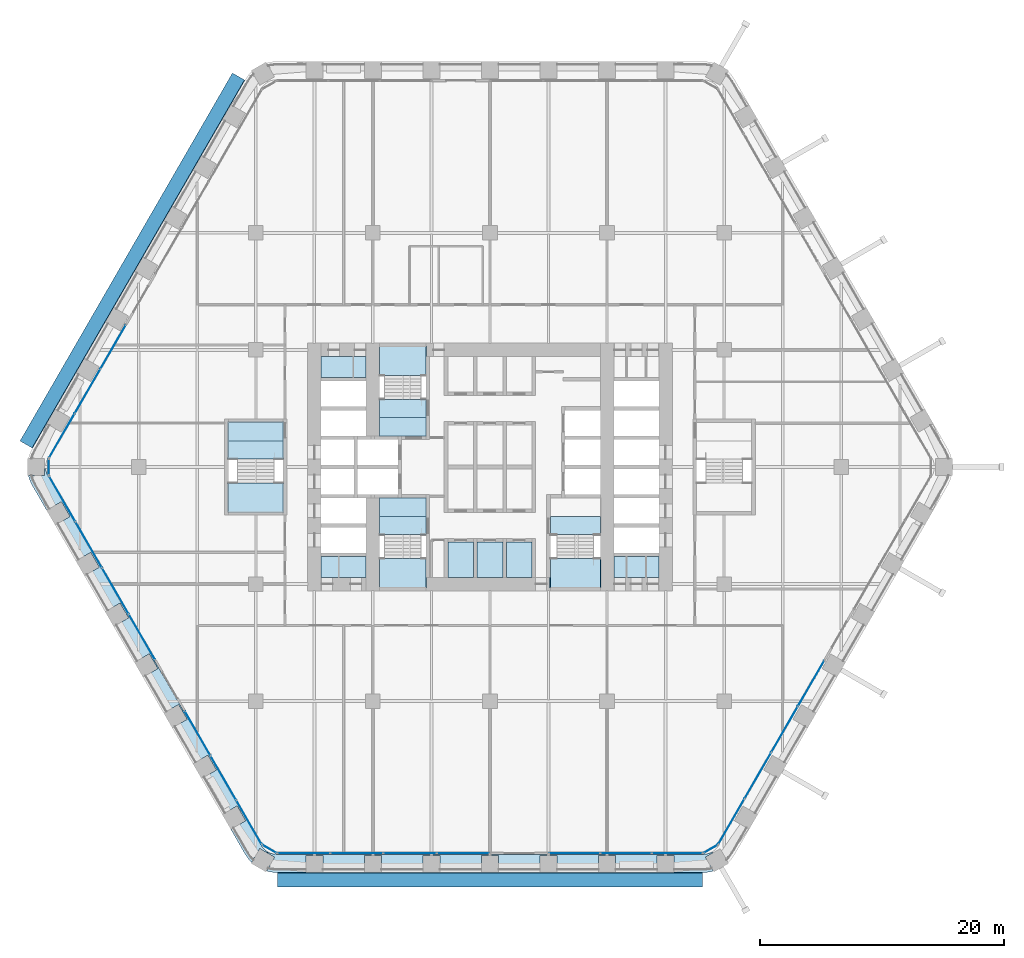
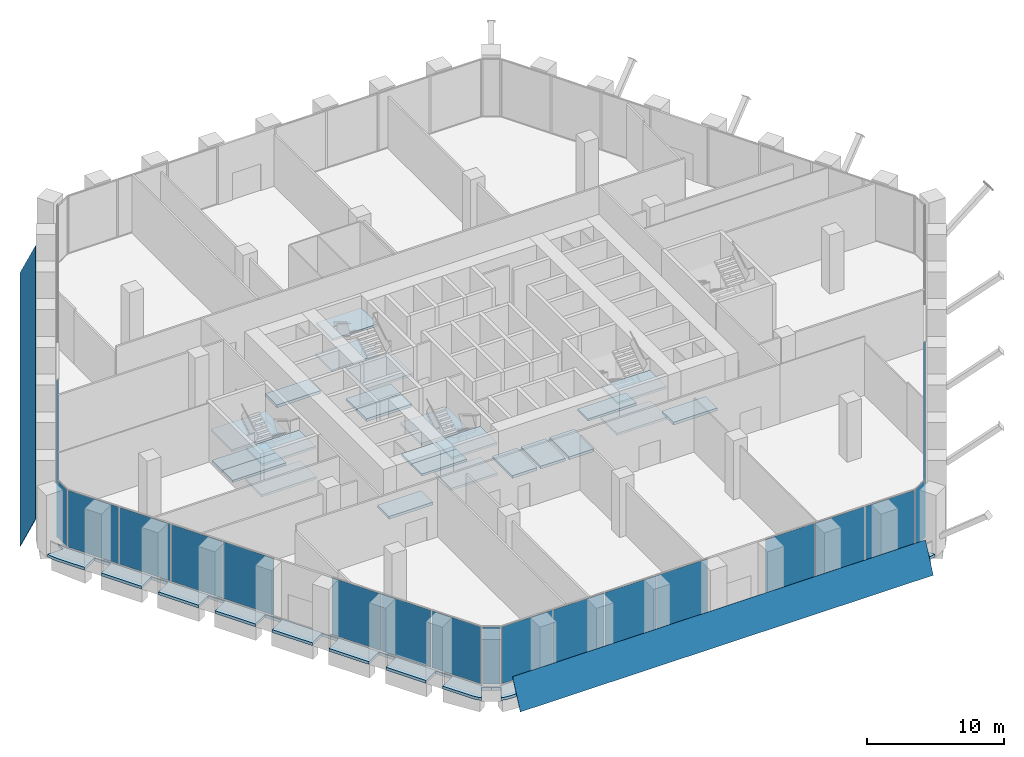
# One storey, part 16 of 29: 26 plates, 26 slabs, 13 elements without a shape of their own.
"""IFC4 building model written with IfcOpenShell, lengths in metres."""

from ifc_helpers import new_model, si_unit, direction, frame, origin, origin_2d, place, context, subcontext, project, spatial, polyline, rectangle, outline, extrude, material, layer, layer_set, type_object, element, aggregate, save


model = new_model("IFC4")

# Units and contexts
model_context = context("Model", 3, precision=1e-05, world=origin(), true_north=direction((0.0, 1.0)))
body_context = subcontext(model_context, "Body", "Model", "MODEL_VIEW")
ifc_project = project(units=[si_unit("LENGTHUNIT", "METRE"), si_unit("AREAUNIT", "SQUARE_METRE"), si_unit("VOLUMEUNIT", "CUBIC_METRE"), si_unit("PLANEANGLEUNIT", "RADIAN"), si_unit("MASSUNIT", "GRAM", prefix="KILO")], contexts=[model_context])

# Site, building, storey
site_placement = place(None, origin())
site = spatial("IfcSite", under=ifc_project, at=site_placement, CompositionType="ELEMENT")
building_placement = place(site_placement, origin())
building = spatial("IfcBuilding", under=site, at=building_placement, Name="Kolab Exchange Tower", CompositionType="ELEMENT")
storey_placement = place(building_placement, frame((0.0, 0.0, 55.39990234375)))
storey = spatial("IfcBuildingStorey", under=building, at=storey_placement, Name="L10", CompositionType="ELEMENT", Elevation=55.39990234375)

# Slabs
ifc_material_1 = material(Name="Concrete C35/45", Category="concrete")
ifc_layer_1 = layer(ifc_material_1, 0.25)
ifc_layer_set_1 = layer_set([ifc_layer_1], Name="Concrete C35/45")
slab_type_1 = type_object("IfcSlabType", Name="FLOOR SLAB 250", PredefinedType="FLOOR", material=ifc_layer_set_1)
slab_1_placement = place(storey_placement, frame((0.0, 0.0, -0.25)))
element("IfcSlab", 1, at=slab_1_placement, inside=storey, type_object=slab_type_1, Name="slab/L10/floor/8", PredefinedType="FLOOR", context=body_context, shape_type="SweptSolid", body=[
    extrude(outline(polyline([(-21.449951171875, 3.64990234375), (-21.449951171875, 2.14990234375), (-16.949951171875, 2.14990234375), (-16.949951171875, 3.64990234375), (-21.449951171875, 3.64990234375)])), origin(), (0.0, 0.0, 1.0), 0.25),
])
slab_2_placement = place(storey_placement, frame((0.0, 0.0, -0.25)))
element("IfcSlab", 2, at=slab_2_placement, inside=storey, type_object=slab_type_1, Name="slab/L10/floor/10", PredefinedType="FLOOR", context=body_context, shape_type="SweptSolid", body=[
    extrude(outline(polyline([(-10.14990234375, -9.050048828125), (-10.14990234375, -7.35009765625), (-13.85009765625, -7.35009765625), (-13.85009765625, -9.050048828125), (-10.14990234375, -9.050048828125)])), origin(), (0.0, 0.0, 1.0), 0.25),
])
slab_3_placement = place(storey_placement, frame((0.0, 0.0, -0.25)))
element("IfcSlab", 3, at=slab_3_placement, inside=storey, type_object=slab_type_1, Name="slab/L10/floor/11", PredefinedType="FLOOR", context=body_context, shape_type="SweptSolid", body=[
    extrude(outline(polyline([(-13.85009765625, 7.35009765625), (-10.14990234375, 7.35009765625), (-10.14990234375, 9.050048828125), (-13.85009765625, 9.050048828125), (-13.85009765625, 7.35009765625)])), origin(), (0.0, 0.0, 1.0), 0.25),
])
slab_4_placement = place(storey_placement, frame((0.0, 0.0, -0.25)))
element("IfcSlab", 4, at=slab_4_placement, inside=storey, type_object=slab_type_1, Name="slab/L10/floor/12", PredefinedType="FLOOR", context=body_context, shape_type="SweptSolid", body=[
    extrude(outline(polyline([(10.14990234375, -7.35009765625), (10.14990234375, -9.050048828125), (13.85009765625, -9.050048828125), (13.85009765625, -7.35009765625), (10.14990234375, -7.35009765625)])), origin(), (0.0, 0.0, 1.0), 0.25),
])
slab_5_placement = place(storey_placement, frame((0.0, 0.0, -0.25)))
element("IfcSlab", 5, at=slab_5_placement, inside=storey, type_object=slab_type_1, Name="slab/L10/floor/15", PredefinedType="FLOOR", context=body_context, shape_type="SweptSolid", body=[
    extrude(outline(polyline([(1.050048828125, -6.14990234375), (-1.050048828125, -6.14990234375), (-1.050048828125, -9.050048828125), (1.050048828125, -9.050048828125), (1.050048828125, -6.14990234375)])), origin(), (0.0, 0.0, 1.0), 0.25),
])
slab_6_placement = place(storey_placement, frame((0.0, 0.0, -0.25)))
element("IfcSlab", 6, at=slab_6_placement, inside=storey, type_object=slab_type_1, Name="slab/L10/floor/17", PredefinedType="FLOOR", context=body_context, shape_type="SweptSolid", body=[
    extrude(outline(polyline([(-1.35009765625, -6.14990234375), (-3.449951171875, -6.14990234375), (-3.449951171875, -9.050048828125), (-1.35009765625, -9.050048828125), (-1.35009765625, -6.14990234375)])), origin(), (0.0, 0.0, 1.0), 0.25),
])
slab_7_placement = place(storey_placement, frame((0.0, 0.0, -0.25)))
element("IfcSlab", 7, at=slab_7_placement, inside=storey, type_object=slab_type_1, Name="slab/L10/floor/19", PredefinedType="FLOOR", context=body_context, shape_type="SweptSolid", body=[
    extrude(outline(polyline([(1.35009765625, -6.14990234375), (1.35009765625, -9.050048828125), (3.449951171875, -9.050048828125), (3.449951171875, -6.14990234375), (1.35009765625, -6.14990234375)])), origin(), (0.0, 0.0, 1.0), 0.25),
])
slab_8_placement = place(storey_placement, frame((0.0, 0.0, -0.25)))
element("IfcSlab", 8, at=slab_8_placement, inside=storey, type_object=slab_type_1, Name="slab/L10/floor/21", PredefinedType="FLOOR", context=body_context, shape_type="SweptSolid", body=[
    extrude(outline(polyline([(-9.050048828125, -4.050048828125), (-5.25, -4.050048828125), (-5.25, -2.550048828125), (-7.25, -2.550048828125), (-7.550048828125, -2.550048828125), (-9.050048828125, -2.550048828125), (-9.050048828125, -4.050048828125)])), origin(), (0.0, 0.0, 1.0), 0.25),
])
slab_9_placement = place(storey_placement, frame((0.0, 0.0, -0.25)))
element("IfcSlab", 9, at=slab_9_placement, inside=storey, type_object=slab_type_1, Name="slab/L10/floor/22", PredefinedType="FLOOR", context=body_context, shape_type="SweptSolid", body=[
    extrude(outline(polyline([(-5.25, 4.050048828125), (-9.050048828125, 4.050048828125), (-9.050048828125, 2.550048828125), (-7.550048828125, 2.550048828125), (-7.25, 2.550048828125), (-5.25, 2.550048828125), (-5.25, 4.050048828125)])), origin(), (0.0, 0.0, 1.0), 0.25),
])
ifc_layer_2 = layer(ifc_material_1, 0.25)
ifc_layer_set_2 = layer_set([ifc_layer_2], Name="Concrete C35/45")
slab_type_2 = type_object("IfcSlabType", Name="LOGGIA SLAB 250", PredefinedType="FLOOR", material=ifc_layer_set_2)
slab_10_placement = place(storey_placement, frame((0.0, 0.0, -0.25)))
element("IfcSlab", 10, at=slab_10_placement, inside=storey, type_object=slab_type_2, Name="slab/L10/loggia/3-0", PredefinedType="FLOOR", context=body_context, shape_type="SweptSolid", body=[
    extrude(outline(polyline([(-18.218017578125, -31.554443359375), (-18.26806640625, -31.64111328125), (-17.66162109375, -31.990966796875), (-18.31494140625, -33.122314453125), (-17.989013671875, -33.209716796875), (-17.468017578125, -33.25537109375), (-15.10009765625, -33.25537109375), (-15.10009765625, -31.85546875), (-13.699951171875, -31.85546875), (-13.699951171875, -33.25537109375), (-10.300048828125, -33.25537109375), (-10.300048828125, -31.85546875), (-8.89990234375, -31.85546875), (-8.89990234375, -33.25537109375), (-5.5, -33.25537109375), (-5.5, -31.85546875), (-4.10009765625, -31.85546875), (-4.10009765625, -33.25537109375), (-0.699951171875, -33.25537109375), (-0.699951171875, -31.85546875), (0.699951171875, -31.85546875), (0.699951171875, -33.25537109375), (4.10009765625, -33.25537109375), (4.10009765625, -31.85546875), (5.5, -31.85546875), (5.5, -33.25537109375), (8.89990234375, -33.25537109375), (8.89990234375, -31.85546875), (10.300048828125, -31.85546875), (10.300048828125, -33.25537109375), (13.699951171875, -33.25537109375), (13.699951171875, -31.85546875), (15.10009765625, -31.85546875), (15.10009765625, -33.25537109375), (17.468017578125, -33.25537109375), (17.989013671875, -33.209716796875), (18.31494140625, -33.122314453125), (17.66162109375, -31.990966796875), (18.26806640625, -31.64111328125), (18.218017578125, -31.554443359375), (17.98095703125, -31.664794921875), (17.728515625, -31.732666015625), (17.468017578125, -31.75537109375), (-17.468017578125, -31.75537109375), (-17.728515625, -31.732666015625), (-17.98095703125, -31.664794921875), (-18.218017578125, -31.554443359375)])), origin(), (0.0, 0.0, 1.0), 0.25),
])
slab_11_placement = place(storey_placement, frame((0.0, 0.0, -0.25)))
element("IfcSlab", 11, at=slab_11_placement, inside=storey, type_object=slab_type_2, Name="slab/L10/loggia/4-0", PredefinedType="FLOOR", context=body_context, shape_type="SweptSolid", body=[
    extrude(outline(polyline([(-36.435791015625, 0.0), (-36.535888671875, 0.0), (-36.535888671875, -0.699951171875), (-37.84228515625, -0.699951171875), (-37.7548828125, -1.026123046875), (-37.533935546875, -1.5), (-36.35009765625, -3.55078125), (-35.137451171875, -2.8505859375), (-34.4375, -4.063232421875), (-35.64990234375, -4.76318359375), (-33.949951171875, -7.70751953125), (-32.737548828125, -7.007568359375), (-32.03759765625, -8.219970703125), (-33.25, -8.920166015625), (-31.550048828125, -11.864501953125), (-30.337646484375, -11.16455078125), (-29.637451171875, -12.376953125), (-30.85009765625, -13.076904296875), (-29.14990234375, -16.021484375), (-27.9375, -15.321533203125), (-27.237548828125, -16.533935546875), (-28.449951171875, -17.23388671875), (-26.75, -20.178466796875), (-25.53759765625, -19.478271484375), (-24.837646484375, -20.69091796875), (-26.050048828125, -21.390869140625), (-24.35009765625, -24.335205078125), (-23.137451171875, -23.63525390625), (-22.4375, -24.84765625), (-23.64990234375, -25.5478515625), (-21.949951171875, -28.4921875), (-20.737548828125, -27.792236328125), (-20.03759765625, -29.004638671875), (-21.25, -29.70458984375), (-20.06591796875, -31.75537109375), (-19.76611328125, -32.183837890625), (-19.52734375, -32.42236328125), (-18.874267578125, -31.291015625), (-18.26806640625, -31.64111328125), (-18.218017578125, -31.554443359375), (-18.43212890625, -31.404541015625), (-18.616943359375, -31.219482421875), (-18.76708984375, -31.00537109375), (-36.23486328125, -0.75), (-36.345458984375, -0.512939453125), (-36.4130859375, -0.260498046875), (-36.435791015625, 0.0)])), origin(), (0.0, 0.0, 1.0), 0.25),
])

# Plates
ifc_material_2 = material(Name="Laminated glass, clear", Category="glass")
ifc_layer_3 = layer(ifc_material_2, 0.0400390625)
ifc_layer_set_3 = layer_set([ifc_layer_3], Name="Laminated glass, clear")
plate_type_1 = type_object("IfcPlateType", Name="OUTER SKIN LAMINATED GLASS SHEET 40", PredefinedType="SHEET", material=ifc_layer_set_3)
plate_1_placement = place(storey_placement, frame((17.41796875, -34.435302734375, -0.782958984375), z_axis=(0.0, -0.906309875243, 0.422613783538), x_axis=(-1.0, 0.0, 0.0)))
element("IfcPlate", 12, at=plate_1_placement, inside=storey, type_object=plate_type_1, Name="Outer skin", PredefinedType="SHEET", context=body_context, shape_type="SweptSolid", body=[
    extrude(outline(polyline([(0.0, 0.0), (34.8359375, 0.0), (34.8359375, -2.7059095846952848), (0.0, -2.7059095846952848), (0.0, 0.0)])), origin(), (0.0, 0.0, -1.0), 0.0400390625),
])
plate_2_placement = place(storey_placement, frame((-38.53076171875, 2.13330078125, -0.782958984375), z_axis=(-0.784872769673, 0.453148092024, 0.422648248689), x_axis=(0.500001313459, 0.866024645457, 0.0)))
element("IfcPlate", 13, at=plate_2_placement, inside=storey, type_object=plate_type_1, Name="Outer skin", PredefinedType="SHEET", context=body_context, shape_type="SweptSolid", body=[
    extrude(outline(polyline([(0.0, 0.0), (34.83584598906518, 0.0), (34.8359132764295, -2.7059575705201846), (6.728736431932392e-05, -2.705957570520185), (0.0, 0.0)])), origin(), (0.0, 0.0, -1.0), 0.0400390625),
])

# Stair, slabs
ifc_material_3 = material(Name="Concrete C50/60", Category="concrete")
stair_type_1 = type_object("IfcStairType", Name="STAIR ST1 RISER 171.9", PredefinedType="DOUBLE_RETURN_STAIR", material=ifc_material_3)
stair_1_placement = place(storey_placement, origin())
stair_1 = element("IfcStair", 14, at=stair_1_placement, inside=storey, type_object=stair_type_1, Name="Stair 1", PredefinedType="DOUBLE_RETURN_STAIR")
ifc_layer_4 = layer(ifc_material_3, 0.199951171875)
ifc_layer_set_4 = layer_set([ifc_layer_4], Name="Concrete C50/60")
slab_type_3 = type_object("IfcSlabType", Name="STAIR LANDING 200", PredefinedType="LANDING", material=ifc_layer_set_4)
slab_12_placement = place(storey_placement, frame((0.0, 0.0, -0.199951171875)))
slab_12 = element("IfcSlab", 15, at=slab_12_placement, type_object=slab_type_3, Name="ST1 landing 1", PredefinedType="LANDING", context=body_context, shape_type="SweptSolid", body=[
    extrude(outline(polyline([(-9.050048828125, 4.050048828125), (-5.25, 4.050048828125), (-5.25, 5.550048828125), (-9.050048828125, 5.550048828125), (-9.050048828125, 4.050048828125)])), origin(), (0.0, 0.0, 1.0), 0.199951171875),
])
slab_13_placement = place(storey_placement, frame((0.0, 0.0, 1.175048828125)))
slab_13 = element("IfcSlab", 16, at=slab_13_placement, type_object=slab_type_3, Name="ST1 landing 2", PredefinedType="LANDING", context=body_context, shape_type="SweptSolid", body=[
    extrude(outline(polyline([(-9.110107421875, 7.510009765625), (-5.18994140625, 7.510009765625), (-5.18994140625, 9.909912109375), (-9.110107421875, 9.909912109375), (-9.110107421875, 7.510009765625)])), origin(), (0.0, 0.0, 1.0), 0.199951171875),
])
slab_14_placement = place(storey_placement, frame((0.0, 0.0, 2.550048828125)))
slab_14 = element("IfcSlab", 17, at=slab_14_placement, type_object=slab_type_3, Name="ST1 landing 3", PredefinedType="LANDING", context=body_context, shape_type="SweptSolid", body=[
    extrude(outline(polyline([(-9.110107421875, 2.489990234375), (-5.18994140625, 2.489990234375), (-5.18994140625, 5.550048828125), (-9.110107421875, 5.550048828125), (-9.110107421875, 2.489990234375)])), origin(), (0.0, 0.0, 1.0), 0.199951171875),
])
slab_15_placement = place(storey_placement, frame((0.0, 0.0, 3.925048828125)))
slab_15 = element("IfcSlab", 18, at=slab_15_placement, type_object=slab_type_3, Name="ST1 landing 4", PredefinedType="LANDING", context=body_context, shape_type="SweptSolid", body=[
    extrude(outline(polyline([(-9.050048828125, 7.510009765625), (-5.25, 7.510009765625), (-5.25, 9.909912109375), (-9.050048828125, 9.909912109375), (-9.050048828125, 7.510009765625)])), origin(), (0.0, 0.0, 1.0), 0.199951171875),
])
aggregate(stair_1, [slab_12, slab_13, slab_14, slab_15])

stair_type_2 = type_object("IfcStairType", Name="STAIR ST3 RISER 171.9", PredefinedType="DOUBLE_RETURN_STAIR", material=ifc_material_3)
stair_2_placement = place(storey_placement, origin())
stair_2 = element("IfcStair", 19, at=stair_2_placement, inside=storey, type_object=stair_type_2, Name="Stair 3", PredefinedType="DOUBLE_RETURN_STAIR")
slab_16_placement = place(storey_placement, frame((0.0, 0.0, -0.199951171875)))
slab_16 = element("IfcSlab", 20, at=slab_16_placement, type_object=slab_type_3, Name="ST3 landing 1", PredefinedType="LANDING", context=body_context, shape_type="SweptSolid", body=[
    extrude(outline(polyline([(-9.050048828125, -5.550048828125), (-5.25, -5.550048828125), (-5.25, -4.050048828125), (-9.050048828125, -4.050048828125), (-9.050048828125, -5.550048828125)])), origin(), (0.0, 0.0, 1.0), 0.199951171875),
])
slab_17_placement = place(storey_placement, frame((0.0, 0.0, 1.175048828125)))
slab_17 = element("IfcSlab", 21, at=slab_17_placement, type_object=slab_type_3, Name="ST3 landing 2", PredefinedType="LANDING", context=body_context, shape_type="SweptSolid", body=[
    extrude(outline(polyline([(-9.110107421875, -9.909912109375), (-5.18994140625, -9.909912109375), (-5.18994140625, -7.510009765625), (-9.110107421875, -7.510009765625), (-9.110107421875, -9.909912109375)])), origin(), (0.0, 0.0, 1.0), 0.199951171875),
])
slab_18_placement = place(storey_placement, frame((0.0, 0.0, 2.550048828125)))
slab_18 = element("IfcSlab", 22, at=slab_18_placement, type_object=slab_type_3, Name="ST3 landing 3", PredefinedType="LANDING", context=body_context, shape_type="SweptSolid", body=[
    extrude(outline(polyline([(-9.110107421875, -5.550048828125), (-5.18994140625, -5.550048828125), (-5.18994140625, -2.489990234375), (-9.110107421875, -2.489990234375), (-9.110107421875, -5.550048828125)])), origin(), (0.0, 0.0, 1.0), 0.199951171875),
])
slab_19_placement = place(storey_placement, frame((0.0, 0.0, 3.925048828125)))
slab_19 = element("IfcSlab", 23, at=slab_19_placement, type_object=slab_type_3, Name="ST3 landing 4", PredefinedType="LANDING", context=body_context, shape_type="SweptSolid", body=[
    extrude(outline(polyline([(-9.050048828125, -9.909912109375), (-5.25, -9.909912109375), (-5.25, -7.510009765625), (-9.050048828125, -7.510009765625), (-9.050048828125, -9.909912109375)])), origin(), (0.0, 0.0, 1.0), 0.199951171875),
])
aggregate(stair_2, [slab_16, slab_17, slab_18, slab_19])

stair_type_3 = type_object("IfcStairType", Name="STAIR ST2 RISER 171.9", PredefinedType="DOUBLE_RETURN_STAIR", material=ifc_material_3)
stair_3_placement = place(storey_placement, origin())
stair_3 = element("IfcStair", 24, at=stair_3_placement, inside=storey, type_object=stair_type_3, Name="Stair 2", PredefinedType="DOUBLE_RETURN_STAIR")
slab_20_placement = place(storey_placement, frame((0.0, 0.0, -0.199951171875)))
slab_20 = element("IfcSlab", 25, at=slab_20_placement, type_object=slab_type_3, Name="ST2 landing 1", PredefinedType="LANDING", context=body_context, shape_type="SweptSolid", body=[
    extrude(outline(polyline([(4.949951171875, -5.550048828125), (9.050048828125, -5.550048828125), (9.050048828125, -4.050048828125), (4.949951171875, -4.050048828125), (4.949951171875, -5.550048828125)])), origin(), (0.0, 0.0, 1.0), 0.199951171875),
])
slab_21_placement = place(storey_placement, frame((0.0, 0.0, 1.175048828125)))
slab_21 = element("IfcSlab", 26, at=slab_21_placement, type_object=slab_type_3, Name="ST2 landing 2", PredefinedType="LANDING", context=body_context, shape_type="SweptSolid", body=[
    extrude(outline(polyline([(4.889892578125, -9.909912109375), (9.110107421875, -9.909912109375), (9.110107421875, -7.510009765625), (4.889892578125, -7.510009765625), (4.889892578125, -9.909912109375)])), origin(), (0.0, 0.0, 1.0), 0.199951171875),
])
slab_22_placement = place(storey_placement, frame((0.0, 0.0, 3.925048828125)))
slab_22 = element("IfcSlab", 27, at=slab_22_placement, type_object=slab_type_3, Name="ST2 landing 4", PredefinedType="LANDING", context=body_context, shape_type="SweptSolid", body=[
    extrude(outline(polyline([(4.949951171875, -9.909912109375), (9.050048828125, -9.909912109375), (9.050048828125, -7.510009765625), (4.949951171875, -7.510009765625), (4.949951171875, -9.909912109375)])), origin(), (0.0, 0.0, 1.0), 0.199951171875),
])
aggregate(stair_3, [slab_20, slab_21, slab_22])

stair_type_4 = type_object("IfcStairType", Name="STAIR ST5 RISER 171.9", PredefinedType="DOUBLE_RETURN_STAIR", material=ifc_material_3)
stair_4_placement = place(storey_placement, origin())
stair_4 = element("IfcStair", 28, at=stair_4_placement, inside=storey, type_object=stair_type_4, Name="Stair 5", PredefinedType="DOUBLE_RETURN_STAIR")
slab_23_placement = place(storey_placement, frame((0.0, 0.0, -0.199951171875)))
slab_23 = element("IfcSlab", 29, at=slab_23_placement, type_object=slab_type_3, Name="ST5 landing 1", PredefinedType="LANDING", context=body_context, shape_type="SweptSolid", body=[
    extrude(outline(polyline([(-21.449951171875, 0.64990234375), (-16.949951171875, 0.64990234375), (-16.949951171875, 2.14990234375), (-21.449951171875, 2.14990234375), (-21.449951171875, 0.64990234375)])), origin(), (0.0, 0.0, 1.0), 0.199951171875),
])
slab_24_placement = place(storey_placement, frame((0.0, 0.0, 1.175048828125)))
slab_24 = element("IfcSlab", 30, at=slab_24_placement, type_object=slab_type_3, Name="ST5 landing 2", PredefinedType="LANDING", context=body_context, shape_type="SweptSolid", body=[
    extrude(outline(polyline([(-21.510009765625, -3.7099609375), (-16.889892578125, -3.7099609375), (-16.889892578125, -1.31005859375), (-21.510009765625, -1.31005859375), (-21.510009765625, -3.7099609375)])), origin(), (0.0, 0.0, 1.0), 0.199951171875),
])
slab_25_placement = place(storey_placement, frame((0.0, 0.0, 2.550048828125)))
slab_25 = element("IfcSlab", 31, at=slab_25_placement, type_object=slab_type_3, Name="ST5 landing 3", PredefinedType="LANDING", context=body_context, shape_type="SweptSolid", body=[
    extrude(outline(polyline([(-21.510009765625, 0.64990234375), (-16.889892578125, 0.64990234375), (-16.889892578125, 3.7099609375), (-21.510009765625, 3.7099609375), (-21.510009765625, 0.64990234375)])), origin(), (0.0, 0.0, 1.0), 0.199951171875),
])
slab_26_placement = place(storey_placement, frame((0.0, 0.0, 3.925048828125)))
slab_26 = element("IfcSlab", 32, at=slab_26_placement, type_object=slab_type_3, Name="ST5 landing 4", PredefinedType="LANDING", context=body_context, shape_type="SweptSolid", body=[
    extrude(outline(polyline([(-21.449951171875, -3.7099609375), (-16.949951171875, -3.7099609375), (-16.949951171875, -1.31005859375), (-21.449951171875, -1.31005859375), (-21.449951171875, -3.7099609375)])), origin(), (0.0, 0.0, 1.0), 0.199951171875),
])
aggregate(stair_4, [slab_23, slab_24, slab_25, slab_26])

# Curtain wall, plates
ifc_material_4 = material(Name="Aluminium EN AW-6063 T6", Category="aluminium")
curtain_wall_type = type_object("IfcCurtainWallType", Name="UNITISED LOW ZONE CURTAIN WALL", PredefinedType="NOTDEFINED", material=ifc_material_4)
curtain_wall_1_placement = place(storey_placement, origin())
curtain_wall_1 = element("IfcCurtainWall", 33, at=curtain_wall_1_placement, inside=storey, type_object=curtain_wall_type, Name="cw/L10/F3-2", PredefinedType="NOTDEFINED")
ifc_material_5 = material(Name="Clear insulated glazing unit", Category="glass")
ifc_layer_5 = layer(ifc_material_5, 0.02392578125)
ifc_layer_set_5 = layer_set([ifc_layer_5], Name="Clear insulated glazing unit")
plate_type_2 = type_object("IfcPlateType", Name="UNITISED LOW ZONE GLASS PANEL 24", PredefinedType="CURTAIN_PANEL", material=ifc_layer_set_5)
plate_3_placement = place(storey_placement, frame((26.33251953125, -17.74169921875, 0.06005859375), z_axis=(0.0, 0.0, 1.0), x_axis=(-0.5000000112, -0.866025397318, 0.0)))
plate_3 = element("IfcPlate", 34, at=plate_3_placement, type_object=plate_type_2, Name="CW1 panel 1.1", PredefinedType="CURTAIN_PANEL", context=body_context, shape_type="SweptSolid", body=[
    extrude(rectangle(XDim=4.277099609375, YDim=0.02392578125, at=origin_2d()), origin(), (0.0, 0.0, 1.0), 5.080078125),
])
plate_4_placement = place(storey_placement, frame((24.156494140625, -21.510498046875, 0.06005859375), z_axis=(0.0, 0.0, 1.0), x_axis=(-0.5000000112, -0.866025397318, 0.0)))
plate_4 = element("IfcPlate", 35, at=plate_4_placement, type_object=plate_type_2, Name="CW1 panel 2.1", PredefinedType="CURTAIN_PANEL", context=body_context, shape_type="SweptSolid", body=[
    extrude(rectangle(XDim=4.306884765625, YDim=0.02392578125, at=origin_2d()), origin(), (0.0, 0.0, 1.0), 5.080078125),
])
plate_5_placement = place(storey_placement, frame((21.972900390625, -25.29248046875, 0.06005859375), z_axis=(0.0, 0.0, 1.0), x_axis=(-0.5000000112, -0.866025397318, 0.0)))
plate_5 = element("IfcPlate", 36, at=plate_5_placement, type_object=plate_type_2, Name="CW1 panel 3.1", PredefinedType="CURTAIN_PANEL", context=body_context, shape_type="SweptSolid", body=[
    extrude(rectangle(XDim=4.306884765625, YDim=0.02392578125, at=origin_2d()), origin(), (0.0, 0.0, 1.0), 5.080078125),
])
plate_6_placement = place(storey_placement, frame((19.796875, -29.0615234375, 0.06005859375), z_axis=(0.0, 0.0, 1.0), x_axis=(-0.5000000112, -0.866025397318, 0.0)))
plate_6 = element("IfcPlate", 37, at=plate_6_placement, type_object=plate_type_2, Name="CW1 panel 4.1", PredefinedType="CURTAIN_PANEL", context=body_context, shape_type="SweptSolid", body=[
    extrude(rectangle(XDim=4.277099609375, YDim=0.02392578125, at=origin_2d()), origin(), (0.0, 0.0, 1.0), 5.080078125),
])
aggregate(curtain_wall_1, [plate_3, plate_4, plate_5, plate_6])

curtain_wall_2_placement = place(storey_placement, origin())
curtain_wall_2 = element("IfcCurtainWall", 38, at=curtain_wall_2_placement, inside=storey, type_object=curtain_wall_type, Name="cw/L10/F4-1", PredefinedType="NOTDEFINED")
plate_7_placement = place(storey_placement, frame((15.341552734375, -31.67529296875, 0.06005859375), z_axis=(0.0, 0.0, 1.0), x_axis=(-1.0, 0.0, 0.0)))
plate_7 = element("IfcPlate", 39, at=plate_7_placement, type_object=plate_type_2, Name="CW1 panel 1.1", PredefinedType="CURTAIN_PANEL", context=body_context, shape_type="SweptSolid", body=[
    extrude(rectangle(XDim=4.132568359375, YDim=0.02392578125, at=origin_2d()), origin(), (0.0, 0.0, 1.0), 5.080078125),
])
plate_8_placement = place(storey_placement, frame((11.134033203125, -31.67529296875, 0.06005859375), z_axis=(0.0, 0.0, 1.0), x_axis=(-1.0, 0.0, 0.0)))
plate_8 = element("IfcPlate", 40, at=plate_8_placement, type_object=plate_type_2, Name="CW1 panel 2.1", PredefinedType="CURTAIN_PANEL", context=body_context, shape_type="SweptSolid", body=[
    extrude(rectangle(XDim=4.16259765625, YDim=0.02392578125, at=origin_2d()), origin(), (0.0, 0.0, 1.0), 5.080078125),
])
plate_9_placement = place(storey_placement, frame((6.92626953125, -31.67529296875, 0.06005859375), z_axis=(0.0, 0.0, 1.0), x_axis=(-1.0, 0.0, 0.0)))
plate_9 = element("IfcPlate", 41, at=plate_9_placement, type_object=plate_type_2, Name="CW1 panel 3.1", PredefinedType="CURTAIN_PANEL", context=body_context, shape_type="SweptSolid", body=[
    extrude(rectangle(XDim=4.132568359375, YDim=0.02392578125, at=origin_2d()), origin(), (0.0, 0.0, 1.0), 5.080078125),
])
aggregate(curtain_wall_2, [plate_7, plate_8, plate_9])

curtain_wall_3_placement = place(storey_placement, origin())
curtain_wall_3 = element("IfcCurtainWall", 42, at=curtain_wall_3_placement, inside=storey, type_object=curtain_wall_type, Name="cw/L10/F4-2", PredefinedType="NOTDEFINED")
plate_10_placement = place(storey_placement, frame((-2.198486328125, -31.67529296875, 0.06005859375), z_axis=(0.0, 0.0, 1.0), x_axis=(-1.0, 0.0, 0.0)))
plate_10 = element("IfcPlate", 43, at=plate_10_placement, type_object=plate_type_2, Name="CW1 panel 1.1", PredefinedType="CURTAIN_PANEL", context=body_context, shape_type="SweptSolid", body=[
    extrude(rectangle(XDim=4.277099609375, YDim=0.02392578125, at=origin_2d()), origin(), (0.0, 0.0, 1.0), 5.080078125),
])
plate_11_placement = place(storey_placement, frame((-6.550537109375, -31.67529296875, 0.06005859375), z_axis=(0.0, 0.0, 1.0), x_axis=(-1.0, 0.0, 0.0)))
plate_11 = element("IfcPlate", 44, at=plate_11_placement, type_object=plate_type_2, Name="CW1 panel 2.1", PredefinedType="CURTAIN_PANEL", context=body_context, shape_type="SweptSolid", body=[
    extrude(rectangle(XDim=4.306884765625, YDim=0.02392578125, at=origin_2d()), origin(), (0.0, 0.0, 1.0), 5.080078125),
])
plate_12_placement = place(storey_placement, frame((-10.91748046875, -31.67529296875, 0.06005859375), z_axis=(0.0, 0.0, 1.0), x_axis=(-1.0, 0.0, 0.0)))
plate_12 = element("IfcPlate", 45, at=plate_12_placement, type_object=plate_type_2, Name="CW1 panel 3.1", PredefinedType="CURTAIN_PANEL", context=body_context, shape_type="SweptSolid", body=[
    extrude(rectangle(XDim=4.306884765625, YDim=0.02392578125, at=origin_2d()), origin(), (0.0, 0.0, 1.0), 5.080078125),
])
plate_13_placement = place(storey_placement, frame((-15.26953125, -31.67529296875, 0.06005859375), z_axis=(0.0, 0.0, 1.0), x_axis=(-1.0, 0.0, 0.0)))
plate_13 = element("IfcPlate", 46, at=plate_13_placement, type_object=plate_type_2, Name="CW1 panel 4.1", PredefinedType="CURTAIN_PANEL", context=body_context, shape_type="SweptSolid", body=[
    extrude(rectangle(XDim=4.277099609375, YDim=0.02392578125, at=origin_2d()), origin(), (0.0, 0.0, 1.0), 5.080078125),
])
aggregate(curtain_wall_3, [plate_10, plate_11, plate_12, plate_13])

curtain_wall_4_placement = place(storey_placement, origin())
curtain_wall_4 = element("IfcCurtainWall", 47, at=curtain_wall_4_placement, inside=storey, type_object=curtain_wall_type, Name="cw/L10/F5-1", PredefinedType="NOTDEFINED")
plate_14_placement = place(storey_placement, frame((-19.760986328125, -29.1240234375, 0.06005859375), z_axis=(0.0, 0.0, 1.0), x_axis=(-0.500000017564, 0.866025393644, 0.0)))
plate_14 = element("IfcPlate", 48, at=plate_14_placement, type_object=plate_type_2, Name="CW1 panel 1.1", PredefinedType="CURTAIN_PANEL", context=body_context, shape_type="SweptSolid", body=[
    extrude(rectangle(XDim=4.132568359375, YDim=0.02392578125, at=origin_2d()), origin(), (0.0, 0.0, 1.0), 5.080078125),
])
plate_15_placement = place(storey_placement, frame((-21.86474609375, -25.47998046875, 0.06005859375), z_axis=(0.0, 0.0, 1.0), x_axis=(-0.500000017564, 0.866025393644, 0.0)))
plate_15 = element("IfcPlate", 49, at=plate_15_placement, type_object=plate_type_2, Name="CW1 panel 2.1", PredefinedType="CURTAIN_PANEL", context=body_context, shape_type="SweptSolid", body=[
    extrude(rectangle(XDim=4.16259765625, YDim=0.02392578125, at=origin_2d()), origin(), (0.0, 0.0, 1.0), 5.080078125),
])
plate_16_placement = place(storey_placement, frame((-23.968505859375, -21.836181640625, 0.06005859375), z_axis=(0.0, 0.0, 1.0), x_axis=(-0.500000017564, 0.866025393644, 0.0)))
plate_16 = element("IfcPlate", 50, at=plate_16_placement, type_object=plate_type_2, Name="CW1 panel 3.1", PredefinedType="CURTAIN_PANEL", context=body_context, shape_type="SweptSolid", body=[
    extrude(rectangle(XDim=4.132568359375, YDim=0.02392578125, at=origin_2d()), origin(), (0.0, 0.0, 1.0), 5.080078125),
])
aggregate(curtain_wall_4, [plate_14, plate_15, plate_16])

curtain_wall_5_placement = place(storey_placement, origin())
curtain_wall_5 = element("IfcCurtainWall", 51, at=curtain_wall_5_placement, inside=storey, type_object=curtain_wall_type, Name="cw/L10/F5-2", PredefinedType="NOTDEFINED")
plate_17_placement = place(storey_placement, frame((-28.531005859375, -13.933837890625, 0.06005859375), z_axis=(0.0, 0.0, 1.0), x_axis=(-0.499999968274, 0.866025422102, 0.0)))
plate_17 = element("IfcPlate", 52, at=plate_17_placement, type_object=plate_type_2, Name="CW1 panel 1.1", PredefinedType="CURTAIN_PANEL", context=body_context, shape_type="SweptSolid", body=[
    extrude(rectangle(XDim=4.277099609375, YDim=0.02392578125, at=origin_2d()), origin(), (0.0, 0.0, 1.0), 5.080078125),
])
plate_18_placement = place(storey_placement, frame((-30.70703125, -10.164794921875, 0.06005859375), z_axis=(0.0, 0.0, 1.0), x_axis=(-0.499999968274, 0.866025422102, 0.0)))
plate_18 = element("IfcPlate", 53, at=plate_18_placement, type_object=plate_type_2, Name="CW1 panel 2.1", PredefinedType="CURTAIN_PANEL", context=body_context, shape_type="SweptSolid", body=[
    extrude(rectangle(XDim=4.306884765625, YDim=0.02392578125, at=origin_2d()), origin(), (0.0, 0.0, 1.0), 5.080078125),
])
plate_19_placement = place(storey_placement, frame((-32.890380859375, -6.3828125, 0.06005859375), z_axis=(0.0, 0.0, 1.0), x_axis=(-0.499999968274, 0.866025422102, 0.0)))
plate_19 = element("IfcPlate", 54, at=plate_19_placement, type_object=plate_type_2, Name="CW1 panel 3.1", PredefinedType="CURTAIN_PANEL", context=body_context, shape_type="SweptSolid", body=[
    extrude(rectangle(XDim=4.306884765625, YDim=0.02392578125, at=origin_2d()), origin(), (0.0, 0.0, 1.0), 5.080078125),
])
plate_20_placement = place(storey_placement, frame((-35.06640625, -2.614013671875, 0.06005859375), z_axis=(0.0, 0.0, 1.0), x_axis=(-0.499999968274, 0.866025422102, 0.0)))
plate_20 = element("IfcPlate", 55, at=plate_20_placement, type_object=plate_type_2, Name="CW1 panel 4.1", PredefinedType="CURTAIN_PANEL", context=body_context, shape_type="SweptSolid", body=[
    extrude(rectangle(XDim=4.277099609375, YDim=0.02392578125, at=origin_2d()), origin(), (0.0, 0.0, 1.0), 5.080078125),
])
aggregate(curtain_wall_5, [plate_17, plate_18, plate_19, plate_20])

curtain_wall_6_placement = place(storey_placement, origin())
curtain_wall_6 = element("IfcCurtainWall", 56, at=curtain_wall_6_placement, inside=storey, type_object=curtain_wall_type, Name="cw/L10/F6-1", PredefinedType="NOTDEFINED")
plate_21_placement = place(storey_placement, frame((-35.1025390625, 2.551513671875, 0.06005859375), z_axis=(0.0, 0.0, 1.0), x_axis=(0.499999958358, 0.866025427826, 0.0)))
plate_21 = element("IfcPlate", 57, at=plate_21_placement, type_object=plate_type_2, Name="CW1 panel 1.1", PredefinedType="CURTAIN_PANEL", context=body_context, shape_type="SweptSolid", body=[
    extrude(rectangle(XDim=4.132568359375, YDim=0.02392578125, at=origin_2d()), origin(), (0.0, 0.0, 1.0), 5.080078125),
])
plate_22_placement = place(storey_placement, frame((-32.998779296875, 6.1953125, 0.06005859375), z_axis=(0.0, 0.0, 1.0), x_axis=(0.499999958358, 0.866025427826, 0.0)))
plate_22 = element("IfcPlate", 58, at=plate_22_placement, type_object=plate_type_2, Name="CW1 panel 2.1", PredefinedType="CURTAIN_PANEL", context=body_context, shape_type="SweptSolid", body=[
    extrude(rectangle(XDim=4.16259765625, YDim=0.02392578125, at=origin_2d()), origin(), (0.0, 0.0, 1.0), 5.080078125),
])
plate_23_placement = place(storey_placement, frame((-30.894775390625, 9.83935546875, 0.06005859375), z_axis=(0.0, 0.0, 1.0), x_axis=(0.499999958358, 0.866025427826, 0.0)))
plate_23 = element("IfcPlate", 59, at=plate_23_placement, type_object=plate_type_2, Name="CW1 panel 3.1", PredefinedType="CURTAIN_PANEL", context=body_context, shape_type="SweptSolid", body=[
    extrude(rectangle(XDim=4.132568359375, YDim=0.02392578125, at=origin_2d()), origin(), (0.0, 0.0, 1.0), 5.080078125),
])
aggregate(curtain_wall_6, [plate_21, plate_22, plate_23])

# Curtain wall, plate
curtain_wall_7_placement = place(storey_placement, origin())
curtain_wall_7 = element("IfcCurtainWall", 60, at=curtain_wall_7_placement, inside=storey, type_object=curtain_wall_type, Name="cw/L10/F3F4-corner", PredefinedType="NOTDEFINED")
plate_24_placement = place(storey_placement, frame((18.082763671875, -31.3203125, 0.06005859375), z_axis=(0.0, 0.0, 1.0), x_axis=(-0.866025390869, -0.50000002237, 0.0)))
plate_24 = element("IfcPlate", 61, at=plate_24_placement, type_object=plate_type_2, Name="CW1 panel 1.1", PredefinedType="CURTAIN_PANEL", context=body_context, shape_type="SweptSolid", body=[
    extrude(rectangle(XDim=1.300048828125, YDim=0.02392578125, at=origin_2d()), origin(), (0.0, 0.0, 1.0), 5.080078125),
])
aggregate(curtain_wall_7, [plate_24])

curtain_wall_8_placement = place(storey_placement, origin())
curtain_wall_8 = element("IfcCurtainWall", 62, at=curtain_wall_8_placement, inside=storey, type_object=curtain_wall_type, Name="cw/L10/F4F5-corner", PredefinedType="NOTDEFINED")
plate_25_placement = place(storey_placement, frame((-18.082763671875, -31.3203125, 0.06005859375), z_axis=(0.0, 0.0, 1.0), x_axis=(-0.866025390869, 0.50000002237, 0.0)))
plate_25 = element("IfcPlate", 63, at=plate_25_placement, type_object=plate_type_2, Name="CW1 panel 1.1", PredefinedType="CURTAIN_PANEL", context=body_context, shape_type="SweptSolid", body=[
    extrude(rectangle(XDim=1.300048828125, YDim=0.02392578125, at=origin_2d()), origin(), (0.0, 0.0, 1.0), 5.080078125),
])
aggregate(curtain_wall_8, [plate_25])

curtain_wall_9_placement = place(storey_placement, origin())
curtain_wall_9 = element("IfcCurtainWall", 64, at=curtain_wall_9_placement, inside=storey, type_object=curtain_wall_type, Name="cw/L10/F5F6-corner", PredefinedType="NOTDEFINED")
plate_26_placement = place(storey_placement, frame((-36.165771484375, 0.0, 0.06005859375), z_axis=(0.0, 0.0, 1.0), x_axis=(0.0, 1.0, 0.0)))
plate_26 = element("IfcPlate", 65, at=plate_26_placement, type_object=plate_type_2, Name="CW1 panel 1.1", PredefinedType="CURTAIN_PANEL", context=body_context, shape_type="SweptSolid", body=[
    extrude(rectangle(XDim=1.300048828125, YDim=0.02392578125, at=origin_2d()), origin(), (0.0, 0.0, 1.0), 5.080078125),
])
aggregate(curtain_wall_9, [plate_26])

save(model, "model.ifc")
